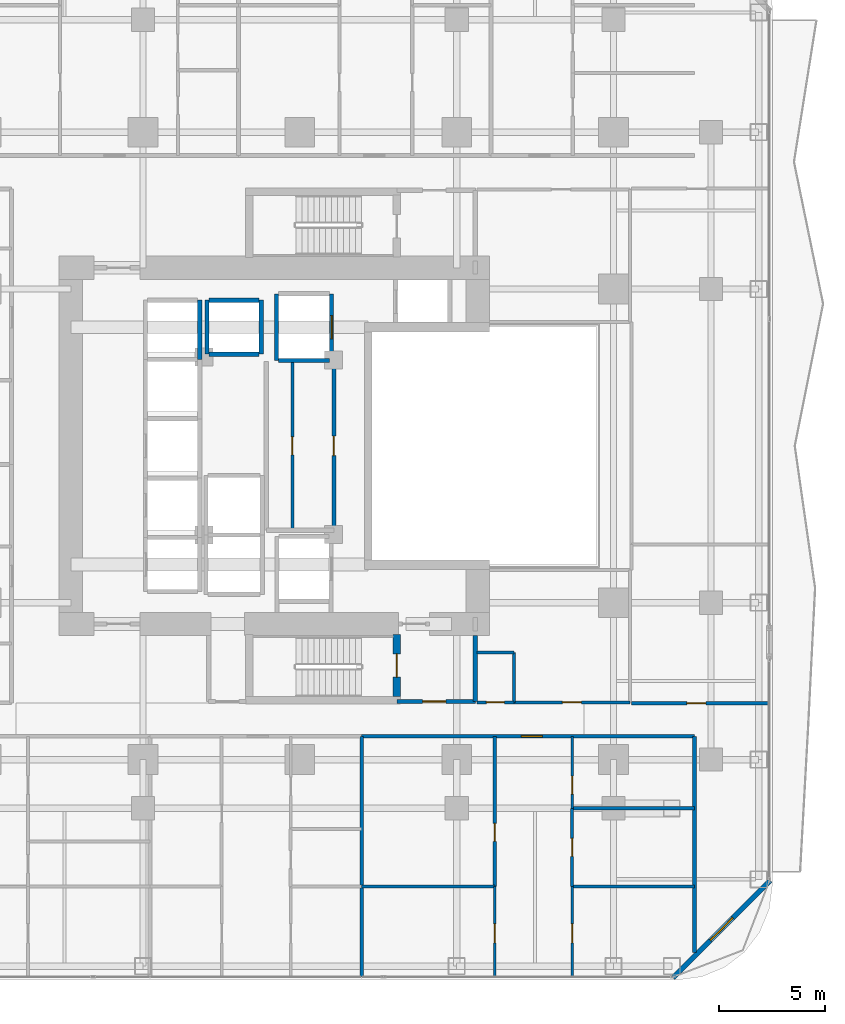
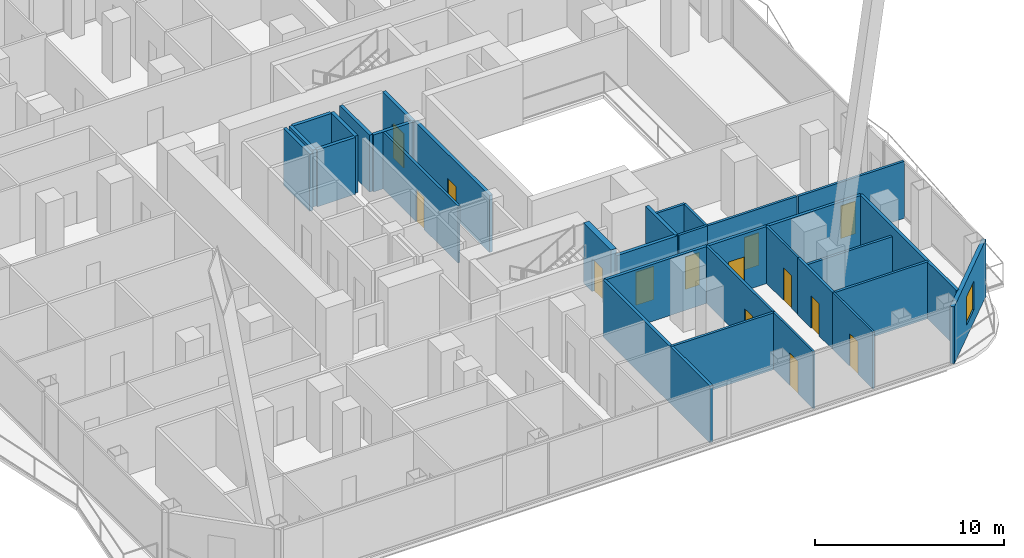
# One storey, part 25 of 33: 30 walls, 14 doors, 1 window, 15 openings.
"""IFC4 building model written with IfcOpenShell, lengths in metres."""

from ifc_helpers import new_model, si_unit, direction, frame, frame_2d, origin, place, context, subcontext, project, spatial, rectangle, extrude, material, layer, layer_set, type_object, element, fill, save


model = new_model("IFC4")

# Units and contexts
model_context = context("Model", 3, precision=1e-05, world=origin(), true_north=direction((0.0, 1.0)))
body_context = subcontext(model_context, "Body", "Model", "MODEL_VIEW")
ifc_project = project(units=[si_unit("LENGTHUNIT", "METRE"), si_unit("AREAUNIT", "SQUARE_METRE"), si_unit("VOLUMEUNIT", "CUBIC_METRE"), si_unit("PLANEANGLEUNIT", "RADIAN"), si_unit("MASSUNIT", "GRAM", prefix="KILO")], contexts=[model_context])

# Site, building, storey
site_placement = place(None, origin())
site = spatial("IfcSite", under=ifc_project, at=site_placement, CompositionType="ELEMENT")
building_placement = place(site_placement, origin())
building = spatial("IfcBuilding", under=site, at=building_placement, Name="Khorvyn Point Tower", CompositionType="ELEMENT")
storey_placement = place(building_placement, frame((0.0, 0.0, 65.699951171875)))
storey = spatial("IfcBuildingStorey", under=building, at=storey_placement, Name="L17", CompositionType="ELEMENT", Elevation=65.699951171875)

# Wall, opening, door
ifc_material_1 = material(Name="Double acoustic gypsum on twin steel stud", Category="steel")
ifc_layer_1 = layer(ifc_material_1, 0.179931640625)
ifc_layer_set_1 = layer_set([ifc_layer_1], Name="Acoustic Double-Stud Apartment Demising Wall 180")
wall_type_1 = type_object("IfcWallType", Name="Acoustic Double-Stud Apartment Demising Wall 180", PredefinedType="PARTITIONING", material=ifc_layer_set_1)
wall_1_placement = place(storey_placement, frame((2.91796875, -13.699951171875, 0.0), z_axis=(0.0, 0.0, 1.0), x_axis=(1.0, 0.0, 0.0)))
wall_1 = element("IfcWall", 1, at=wall_1_placement, inside=storey, type_object=wall_type_1, Name="Wall", PredefinedType="PARTITIONING", context=body_context, shape_type="SweptSolid", body=[
    extrude(rectangle(XDim=15.7021484375, YDim=0.179931640625, at=frame_2d((7.85107421875, 0.0))), origin(), (0.0, 0.0, 1.0), 3.679931640625),
])
opening_1_placement = place(wall_1_placement, frame((7.53076171875, 0.0, 0.0)))
opening_1 = element("IfcOpeningElement", 2, at=opening_1_placement, cuts=wall_1, Name="Opening ID-AP60", PredefinedType="OPENING", context=body_context, shape_type="SweptSolid", body=[
    extrude(rectangle(XDim=1.0, YDim=2.199951171875, at=frame_2d((0.5, 1.10009765625))), frame((0.0, 0.099853515625, 0.0), z_axis=(0.0, -1.0, 0.0), x_axis=(1.0, 0.0, 0.0)), (0.0, 0.0, 1.0), 0.199951171875),
])
ifc_material_2 = material(Name="Engineered hardwood fire-rated leaf", Category="wood")
door_type_1 = type_object("IfcDoorType", Name="Acoustic Solid-Core Timber Apartment Entrance Door 1000x2200", OperationType="NOTDEFINED", PredefinedType="DOOR", material=ifc_material_2)
door_1_placement = place(opening_1_placement, origin())
door_1 = element("IfcDoor", 3, at=door_1_placement, inside=storey, type_object=door_type_1, Name="Door", OperationType="SINGLE_SWING_RIGHT", OverallHeight=2.199951171875, OverallWidth=1.0, PredefinedType="DOOR", context=body_context, shape_type="SweptSolid", body=[
    extrude(rectangle(XDim=1.0, YDim=2.199951171875, at=frame_2d((0.5, 1.10009765625))), frame((0.0, 0.02490234375, 0.0), z_axis=(0.0, -1.0, 0.0), x_axis=(1.0, 0.0, 0.0)), (0.0, 0.0, 1.0), 0.050048828125),
])
fill(opening_1, door_1)

# Walls
wall_2_placement = place(storey_placement, frame((18.6201171875, -23.909912109375, 0.0), z_axis=(0.0, 0.0, 1.0), x_axis=(0.0, 1.0, 0.0)))
element("IfcWall", 4, at=wall_2_placement, inside=storey, type_object=wall_type_1, Name="Wall", PredefinedType="PARTITIONING", context=body_context, shape_type="SweptSolid", body=[
    extrude(rectangle(XDim=10.2099609375, YDim=0.179931640625, at=frame_2d((5.10498046875, 0.0))), origin(), (0.0, 0.0, 1.0), 3.679931640625),
])
wall_3_placement = place(storey_placement, frame((2.91796875, -25.030029296875, 0.0), z_axis=(0.0, 0.0, 1.0), x_axis=(0.0, 1.0, 0.0)))
element("IfcWall", 5, at=wall_3_placement, inside=storey, type_object=wall_type_1, Name="Wall", PredefinedType="PARTITIONING", context=body_context, shape_type="SweptSolid", body=[
    extrude(rectangle(XDim=11.330078125, YDim=0.179931640625, at=frame_2d((5.6650390625, 0.0))), origin(), (0.0, 0.0, 1.0), 3.679931640625),
])

# Wall, opening, window
ifc_material_3 = material(Name="Pale anodised aluminium rainscreen on steel stud", Category="steel")
ifc_layer_2 = layer(ifc_material_3, 0.239990234375)
ifc_layer_set_2 = layer_set([ifc_layer_2], Name="Anodised Aluminium Insulated Corner Spandrel Wall 240")
wall_type_2 = type_object("IfcWallType", Name="Anodised Aluminium Insulated Corner Spandrel Wall 240", PredefinedType="SOLIDWALL", material=ifc_layer_set_2)
wall_4_placement = place(storey_placement, frame((22.1923828125, -20.507568359375, 0.0), z_axis=(0.0, 0.0, 1.0), x_axis=(-0.707106781187, -0.707106781187, 0.0)))
wall_4 = element("IfcWall", 6, at=wall_4_placement, inside=storey, type_object=wall_type_2, Name="L17 Rounded Corner Wall SE", PredefinedType="SOLIDWALL", context=body_context, shape_type="SweptSolid", body=[
    extrude(rectangle(XDim=6.48388671875, YDim=0.239990234375, at=frame_2d((3.241943359375, 0.0))), origin(), (0.0, 0.0, 1.0), 3.679931640625),
])
opening_2_placement = place(wall_4_placement, frame((2.491943359375, 0.0, 0.800048828125)))
opening_2 = element("IfcOpeningElement", 7, at=opening_2_placement, cuts=wall_4, Name="Opening WN-1518", PredefinedType="OPENING", context=body_context, shape_type="SweptSolid", body=[
    extrude(rectangle(XDim=1.5, YDim=1.85009765625, at=frame_2d((0.75, 0.925048828125))), frame((0.0, 0.1298828125, 0.0), z_axis=(0.0, -1.0, 0.0), x_axis=(1.0, 0.0, 0.0)), (0.0, 0.0, 1.0), 0.260009765625),
])
ifc_material_4 = material(Name="Anodised aluminium 6063-T6 and laminated Low-E glass", Category="aluminium")
window_type = type_object("IfcWindowType", Name="Anodised Aluminium Rounded-Corner Panoramic Window 1500x1850", PartitioningType="SINGLE_PANEL", PredefinedType="WINDOW", material=ifc_material_4)
window_placement = place(opening_2_placement, origin())
window = element("IfcWindow", 8, at=window_placement, inside=storey, type_object=window_type, Name="L17 Corner Panoramic Window SE", OverallHeight=1.85009765625, OverallWidth=1.5, PartitioningType="SINGLE_PANEL", PredefinedType="WINDOW", context=body_context, shape_type="SweptSolid", body=[
    extrude(rectangle(XDim=1.5, YDim=1.85009765625, at=frame_2d((0.75, 0.925048828125))), frame((0.0, 0.030029296875, 0.0), z_axis=(0.0, -1.0, 0.0), x_axis=(1.0, 0.0, 0.0)), (0.0, 0.0, 1.0), 0.06005859375),
])
fill(opening_2, window)

# Wall, opening, door
ifc_material_5 = material(Name="Concrete C40/50", Category="concrete")
ifc_layer_3 = layer(ifc_material_5, 0.199951171875)
ifc_layer_set_3 = layer_set([ifc_layer_3], Name="Concrete C40/50 Fire-Lobby Compartment Wall 200")
wall_type_3 = type_object("IfcWallType", Name="Concrete C40/50 Fire-Lobby Compartment Wall 200", PredefinedType="SOLIDWALL", material=ifc_layer_set_3)
wall_5_placement = place(storey_placement, frame((4.580078125, -12.06005859375, 0.0), z_axis=(0.0, 0.0, 1.0), x_axis=(1.0, 0.0, 0.0)))
wall_5 = element("IfcWall", 9, at=wall_5_placement, inside=storey, type_object=wall_type_3, Name="Wall", PredefinedType="SOLIDWALL", context=body_context, shape_type="SweptSolid", body=[
    extrude(rectangle(XDim=3.699951171875, YDim=0.199951171875, at=frame_2d((1.85009765625, 0.0))), origin(), (0.0, 0.0, 1.0), 3.679931640625),
])
opening_3_placement = place(wall_5_placement, frame((1.21240234375, 0.0, 0.0)))
opening_3 = element("IfcOpeningElement", 10, at=opening_3_placement, cuts=wall_5, Name="Opening ID-FL90", PredefinedType="OPENING", context=body_context, shape_type="SweptSolid", body=[
    extrude(rectangle(XDim=1.10009765625, YDim=2.14990234375, at=frame_2d((0.550048828125, 1.074951171875))), frame((0.0, 0.10986328125, 0.0), z_axis=(0.0, -1.0, 0.0), x_axis=(1.0, 0.0, 0.0)), (0.0, 0.0, 1.0), 0.219970703125),
])
ifc_material_6 = material(Name="Galvanised powder-coated steel", Category="steel")
door_type_2 = type_object("IfcDoorType", Name="Fire-Rated Steel Lobby and Stair Door 1100x2150", OperationType="NOTDEFINED", PredefinedType="DOOR", material=ifc_material_6)
door_2_placement = place(opening_3_placement, origin())
door_2 = element("IfcDoor", 11, at=door_2_placement, inside=storey, type_object=door_type_2, Name="Door", OperationType="SINGLE_SWING_LEFT", OverallHeight=2.14990234375, OverallWidth=1.10009765625, PredefinedType="DOOR", context=body_context, shape_type="SweptSolid", body=[
    extrude(rectangle(XDim=1.10009765625, YDim=2.14990234375, at=frame_2d((0.550048828125, 1.074951171875))), frame((0.0, 0.02490234375, 0.0), z_axis=(0.0, -1.0, 0.0), x_axis=(1.0, 0.0, 0.0)), (0.0, 0.0, 1.0), 0.050048828125),
])
fill(opening_3, door_2)

wall_6_placement = place(storey_placement, frame((1.610107421875, -3.97998046875, 0.0), z_axis=(0.0, 0.0, 1.0), x_axis=(0.0, 1.0, 0.0)))
wall_6 = element("IfcWall", 12, at=wall_6_placement, inside=storey, type_object=wall_type_3, Name="Wall", PredefinedType="SOLIDWALL", context=body_context, shape_type="SweptSolid", body=[
    extrude(rectangle(XDim=7.9599609375, YDim=0.199951171875, at=frame_2d((3.97998046875, 0.0))), origin(), (0.0, 0.0, 1.0), 3.679931640625),
])
opening_4_placement = place(wall_6_placement, frame((3.52001953125, 0.0, 0.0)))
opening_4 = element("IfcOpeningElement", 13, at=opening_4_placement, cuts=wall_6, Name="Opening ID-RS60", PredefinedType="OPENING", context=body_context, shape_type="SweptSolid", body=[
    extrude(rectangle(XDim=0.919921875, YDim=2.10009765625, at=frame_2d((0.4599609375, 1.050048828125))), frame((0.0, 0.10986328125, 0.0), z_axis=(0.0, -1.0, 0.0), x_axis=(1.0, 0.0, 0.0)), (0.0, 0.0, 1.0), 0.219970703125),
])
door_type_3 = type_object("IfcDoorType", Name="Fire-Rated Riser and Store Steel Door 920x2100", OperationType="NOTDEFINED", PredefinedType="DOOR", material=ifc_material_6)
door_3_placement = place(opening_4_placement, origin())
door_3 = element("IfcDoor", 14, at=door_3_placement, inside=storey, type_object=door_type_3, Name="Door", OperationType="SINGLE_SWING_RIGHT", OverallHeight=2.10009765625, OverallWidth=0.919921875, PredefinedType="DOOR", context=body_context, shape_type="SweptSolid", body=[
    extrude(rectangle(XDim=0.919921875, YDim=2.10009765625, at=frame_2d((0.4599609375, 1.050048828125))), frame((0.0, 0.02490234375, 0.0), z_axis=(0.0, -1.0, 0.0), x_axis=(1.0, 0.0, 0.0)), (0.0, 0.0, 1.0), 0.050048828125),
])
fill(opening_4, door_3)

# Wall
wall_7_placement = place(storey_placement, frame((8.280029296875, -12.06005859375, 0.0), z_axis=(0.0, 0.0, 1.0), x_axis=(0.0, 1.0, 0.0)))
element("IfcWall", 15, at=wall_7_placement, inside=storey, type_object=wall_type_3, Name="Wall", PredefinedType="SOLIDWALL", context=body_context, shape_type="SweptSolid", body=[
    extrude(rectangle(XDim=3.110107421875, YDim=0.199951171875, at=frame_2d((1.55517578125, 0.0))), origin(), (0.0, 0.0, 1.0), 3.679931640625),
])

# Wall, opening, door
ifc_layer_4 = layer(ifc_material_5, 0.35009765625)
ifc_layer_set_4 = layer_set([ifc_layer_4], Name="Concrete C40/50 Stair Shaft Structural Wall 350")
wall_type_4 = type_object("IfcWallType", Name="Concrete C40/50 Stair Shaft Structural Wall 350", PredefinedType="SHEAR", material=ifc_layer_set_4)
wall_8_placement = place(storey_placement, frame((4.580078125, -8.89990234375, 0.0), z_axis=(0.0, 0.0, 1.0), x_axis=(0.0, -1.0, 0.0)))
wall_8 = element("IfcWall", 16, at=wall_8_placement, inside=storey, type_object=wall_type_4, Name="L17 ST-01 East Landing Door Wall", PredefinedType="SHEAR", context=body_context, shape_type="SweptSolid", body=[
    extrude(rectangle(XDim=2.925048828125, YDim=0.35009765625, at=frame_2d((1.46240234375, 0.0))), origin(), (0.0, 0.0, 1.0), 3.900146484375),
])
opening_5_placement = place(wall_8_placement, frame((0.91259765625, 0.0, 0.0)))
opening_5 = element("IfcOpeningElement", 17, at=opening_5_placement, cuts=wall_8, Name="Opening ID-FL90", PredefinedType="OPENING", context=body_context, shape_type="SweptSolid", body=[
    extrude(rectangle(XDim=1.10009765625, YDim=2.14990234375, at=frame_2d((0.550048828125, 1.074951171875))), frame((0.0, 0.18505859375, 0.0), z_axis=(0.0, -1.0, 0.0), x_axis=(1.0, 0.0, 0.0)), (0.0, 0.0, 1.0), 0.3701171875),
])
door_4_placement = place(opening_5_placement, origin())
door_4 = element("IfcDoor", 18, at=door_4_placement, inside=storey, type_object=door_type_2, Name="L17 ST-01 Smokeproof Landing Door", OperationType="SINGLE_SWING_LEFT", OverallHeight=2.14990234375, OverallWidth=1.10009765625, PredefinedType="DOOR", context=body_context, shape_type="SweptSolid", body=[
    extrude(rectangle(XDim=1.10009765625, YDim=2.14990234375, at=frame_2d((0.550048828125, 1.074951171875))), frame((0.0, 0.02490234375, 0.0), z_axis=(0.0, -1.0, 0.0), x_axis=(1.0, 0.0, 0.0)), (0.0, 0.0, 1.0), 0.050048828125),
])
fill(opening_5, door_4)

# Walls
ifc_layer_5 = layer(ifc_material_5, 0.199951171875)
ifc_layer_set_5 = layer_set([ifc_layer_5], Name="Concrete C40/50 Structural Hoistway and Stair Shaft Wall 200")
wall_type_5 = type_object("IfcWallType", Name="Concrete C40/50 Structural Hoistway and Stair Shaft Wall 200", PredefinedType="SHEAR", material=ifc_layer_set_5)
wall_9_placement = place(storey_placement, frame((-4.72509765625, 4.074951171875, 0.0), z_axis=(0.0, 0.0, 1.0), x_axis=(0.0, 1.0, 0.0)))
element("IfcWall", 19, at=wall_9_placement, inside=storey, type_object=wall_type_5, Name="Wall", PredefinedType="SHEAR", context=body_context, shape_type="SweptSolid", body=[
    extrude(rectangle(XDim=2.800048828125, YDim=0.199951171875, at=frame_2d((1.39990234375, 0.0))), origin(), (0.0, 0.0, 1.0), 3.679931640625),
])
for number, where, z_axis, x_axis, name in (
    (20, (-4.375, 4.324951171875, 0.0), (0.0, 0.0, 1.0), (0.0, 1.0, 0.0), "Wall"),
    (21, (-1.824951171875, 4.324951171875, 0.0), (0.0, 0.0, 1.0), (0.0, 1.0, 0.0), "Wall"),
):
    element("IfcWall", number, at=place(storey_placement, frame(where, z_axis=z_axis, x_axis=x_axis)), inside=storey, type_object=wall_type_5, Name=name, PredefinedType="SHEAR", context=body_context, shape_type="SweptSolid", body=[
        extrude(rectangle(XDim=2.550048828125, YDim=0.199951171875, at=frame_2d((1.27490234375, 0.0))), origin(), (0.0, 0.0, 1.0), 3.679931640625),
    ])
for number, where, z_axis, x_axis, name in (
    (22, (-4.27490234375, 4.324951171875, 0.0), (0.0, 0.0, 1.0), (1.0, 0.0, 0.0), "Wall"),
    (23, (-4.27490234375, 6.875, 0.0), (0.0, 0.0, 1.0), (1.0, 0.0, 0.0), "Wall"),
):
    element("IfcWall", number, at=place(storey_placement, frame(where, z_axis=z_axis, x_axis=x_axis)), inside=storey, type_object=wall_type_5, Name=name, PredefinedType="SHEAR", context=body_context, shape_type="SweptSolid", body=[
        extrude(rectangle(XDim=2.349853515625, YDim=0.199951171875, at=frame_2d((1.1748046875, 0.0))), origin(), (0.0, 0.0, 1.0), 3.679931640625),
    ])
wall_10_placement = place(storey_placement, frame((-1.10009765625, 4.02490234375, 0.0), z_axis=(0.0, 0.0, 1.0), x_axis=(0.0, 1.0, 0.0)))
element("IfcWall", 24, at=wall_10_placement, inside=storey, type_object=wall_type_5, Name="Wall", PredefinedType="SHEAR", context=body_context, shape_type="SweptSolid", body=[
    extrude(rectangle(XDim=3.150146484375, YDim=0.199951171875, at=frame_2d((1.5751953125, 0.0))), origin(), (0.0, 0.0, 1.0), 3.679931640625),
])

# Wall, opening, door
wall_11_placement = place(storey_placement, frame((1.5, 4.02490234375, 0.0), z_axis=(0.0, 0.0, 1.0), x_axis=(0.0, 1.0, 0.0)))
wall_11 = element("IfcWall", 25, at=wall_11_placement, inside=storey, type_object=wall_type_5, Name="Wall", PredefinedType="SHEAR", context=body_context, shape_type="SweptSolid", body=[
    extrude(rectangle(XDim=3.150146484375, YDim=0.199951171875, at=frame_2d((1.5751953125, 0.0))), origin(), (0.0, 0.0, 1.0), 3.679931640625),
])
opening_6_placement = place(wall_11_placement, frame((1.02490234375, 0.0, 0.0)))
opening_6 = element("IfcOpeningElement", 26, at=opening_6_placement, cuts=wall_11, Name="Opening LD-1122", PredefinedType="OPENING", context=body_context, shape_type="SweptSolid", body=[
    extrude(rectangle(XDim=1.10009765625, YDim=2.199951171875, at=frame_2d((0.550048828125, 1.10009765625))), frame((0.0, 0.10986328125, 0.0), z_axis=(0.0, -1.0, 0.0), x_axis=(1.0, 0.0, 0.0)), (0.0, 0.0, 1.0), 0.219970703125),
])
ifc_material_7 = material(Name="Stainless steel 1.4301", Category="steel")
door_type_4 = type_object("IfcDoorType", Name="Stainless Steel Automatic Sliding Lift Landing Door 1100x2200", OperationType="SLIDING_TO_LEFT", PredefinedType="DOOR", material=ifc_material_7)
door_5_placement = place(opening_6_placement, origin())
door_5 = element("IfcDoor", 27, at=door_5_placement, inside=storey, type_object=door_type_4, Name="L17 SV-01 Sliding Lift Landing Door", OperationType="SLIDING_TO_LEFT", OverallHeight=2.199951171875, OverallWidth=1.10009765625, PredefinedType="DOOR", context=body_context, shape_type="SweptSolid", body=[
    extrude(rectangle(XDim=1.10009765625, YDim=2.199951171875, at=frame_2d((0.550048828125, 1.10009765625))), frame((0.0, 0.02490234375, 0.0), z_axis=(0.0, -1.0, 0.0), x_axis=(1.0, 0.0, 0.0)), (0.0, 0.0, 1.0), 0.050048828125),
])
fill(opening_6, door_5)

# Wall
wall_12_placement = place(storey_placement, frame((-1.0, 4.02490234375, 0.0), z_axis=(0.0, 0.0, 1.0), x_axis=(1.0, 0.0, 0.0)))
element("IfcWall", 28, at=wall_12_placement, inside=storey, type_object=wall_type_5, Name="Wall", PredefinedType="SHEAR", context=body_context, shape_type="SweptSolid", body=[
    extrude(rectangle(XDim=2.39990234375, YDim=0.199951171875, at=frame_2d((1.199951171875, 0.0))), origin(), (0.0, 0.0, 1.0), 3.679931640625),
])

# Wall, opening, door
ifc_material_8 = material(Name="Gypsum plasterboard on steel stud", Category="steel")
ifc_layer_6 = layer(ifc_material_8, 0.1201171875)
ifc_layer_set_6 = layer_set([ifc_layer_6], Name="Gypsum Acoustic Stud Room Partition Wall 120")
wall_type_6 = type_object("IfcWallType", Name="Gypsum Acoustic Stud Room Partition Wall 120", PredefinedType="PARTITIONING", material=ifc_layer_set_6)
wall_13_placement = place(storey_placement, frame((9.198974609375, -25.030029296875, 0.0), z_axis=(0.0, 0.0, 1.0), x_axis=(0.0, 1.0, 0.0)))
wall_13 = element("IfcWall", 29, at=wall_13_placement, inside=storey, type_object=wall_type_6, Name="Wall", PredefinedType="PARTITIONING", context=body_context, shape_type="SweptSolid", body=[
    extrude(rectangle(XDim=4.239990234375, YDim=0.1201171875, at=frame_2d((2.1201171875, 0.0))), origin(), (0.0, 0.0, 1.0), 3.679931640625),
])
opening_7_placement = place(wall_13_placement, frame((1.581298828125, 0.0, 0.0)))
opening_7 = element("IfcOpeningElement", 30, at=opening_7_placement, cuts=wall_13, Name="Opening ID-RM90", PredefinedType="OPENING", context=body_context, shape_type="SweptSolid", body=[
    extrude(rectangle(XDim=0.89990234375, YDim=2.10009765625, at=frame_2d((0.449951171875, 1.050048828125))), frame((0.0, 0.070068359375, 0.0), z_axis=(0.0, -1.0, 0.0), x_axis=(1.0, 0.0, 0.0)), (0.0, 0.0, 1.0), 0.14013671875),
])
ifc_material_9 = material(Name="Engineered oak veneer timber", Category="wood")
door_type_5 = type_object("IfcDoorType", Name="Flush Engineered Timber Room Door 900x2100", OperationType="NOTDEFINED", PredefinedType="DOOR", material=ifc_material_9)
door_6_placement = place(opening_7_placement, origin())
door_6 = element("IfcDoor", 31, at=door_6_placement, inside=storey, type_object=door_type_5, Name="Door", OperationType="SINGLE_SWING_RIGHT", OverallHeight=2.10009765625, OverallWidth=0.89990234375, PredefinedType="DOOR", context=body_context, shape_type="SweptSolid", body=[
    extrude(rectangle(XDim=0.89990234375, YDim=2.10009765625, at=frame_2d((0.449951171875, 1.050048828125))), frame((0.0, 0.02490234375, 0.0), z_axis=(0.0, -1.0, 0.0), x_axis=(1.0, 0.0, 0.0)), (0.0, 0.0, 1.0), 0.050048828125),
])
fill(opening_7, door_6)

wall_14_placement = place(storey_placement, frame((12.843994140625, -17.10009765625, 0.0), z_axis=(0.0, 0.0, 1.0), x_axis=(0.0, 1.0, 0.0)))
wall_14 = element("IfcWall", 32, at=wall_14_placement, inside=storey, type_object=wall_type_6, Name="Wall", PredefinedType="PARTITIONING", context=body_context, shape_type="SweptSolid", body=[
    extrude(rectangle(XDim=3.400146484375, YDim=0.1201171875, at=frame_2d((1.7001953125, 0.0))), origin(), (0.0, 0.0, 1.0), 3.679931640625),
])
opening_8_placement = place(wall_14_placement, frame((0.674560546875, 0.0, 0.0)))
opening_8 = element("IfcOpeningElement", 33, at=opening_8_placement, cuts=wall_14, Name="Opening ID-WC85", PredefinedType="OPENING", context=body_context, shape_type="SweptSolid", body=[
    extrude(rectangle(XDim=0.85009765625, YDim=2.10009765625, at=frame_2d((0.425048828125, 1.050048828125))), frame((0.0, 0.070068359375, 0.0), z_axis=(0.0, -1.0, 0.0), x_axis=(1.0, 0.0, 0.0)), (0.0, 0.0, 1.0), 0.14013671875),
])
ifc_material_10 = material(Name="High-pressure laminate on moisture-resistant core", Category="wood")
door_type_6 = type_object("IfcDoorType", Name="Moisture-Resistant Accessible Washroom Door 850x2100", OperationType="NOTDEFINED", PredefinedType="DOOR", material=ifc_material_10)
door_7_placement = place(opening_8_placement, origin())
door_7 = element("IfcDoor", 34, at=door_7_placement, inside=storey, type_object=door_type_6, Name="Door", OperationType="SINGLE_SWING_RIGHT", OverallHeight=2.10009765625, OverallWidth=0.85009765625, PredefinedType="DOOR", context=body_context, shape_type="SweptSolid", body=[
    extrude(rectangle(XDim=0.85009765625, YDim=2.10009765625, at=frame_2d((0.425048828125, 1.050048828125))), frame((0.0, 0.02490234375, 0.0), z_axis=(0.0, -1.0, 0.0), x_axis=(1.0, 0.0, 0.0)), (0.0, 0.0, 1.0), 0.050048828125),
])
fill(opening_8, door_7)

wall_15_placement = place(storey_placement, frame((12.843994140625, -25.030029296875, 0.0), z_axis=(0.0, 0.0, 1.0), x_axis=(0.0, 1.0, 0.0)))
wall_15 = element("IfcWall", 35, at=wall_15_placement, inside=storey, type_object=wall_type_6, Name="Wall", PredefinedType="PARTITIONING", context=body_context, shape_type="SweptSolid", body=[
    extrude(rectangle(XDim=4.239990234375, YDim=0.1201171875, at=frame_2d((2.1201171875, 0.0))), origin(), (0.0, 0.0, 1.0), 3.679931640625),
])
opening_9_placement = place(wall_15_placement, frame((1.581298828125, 0.0, 0.0)))
opening_9 = element("IfcOpeningElement", 36, at=opening_9_placement, cuts=wall_15, Name="Opening ID-RM90", PredefinedType="OPENING", context=body_context, shape_type="SweptSolid", body=[
    extrude(rectangle(XDim=0.89990234375, YDim=2.10009765625, at=frame_2d((0.449951171875, 1.050048828125))), frame((0.0, 0.070068359375, 0.0), z_axis=(0.0, -1.0, 0.0), x_axis=(1.0, 0.0, 0.0)), (0.0, 0.0, 1.0), 0.14013671875),
])
door_8_placement = place(opening_9_placement, origin())
door_8 = element("IfcDoor", 37, at=door_8_placement, inside=storey, type_object=door_type_5, Name="Door", OperationType="SINGLE_SWING_LEFT", OverallHeight=2.10009765625, OverallWidth=0.89990234375, PredefinedType="DOOR", context=body_context, shape_type="SweptSolid", body=[
    extrude(rectangle(XDim=0.89990234375, YDim=2.10009765625, at=frame_2d((0.449951171875, 1.050048828125))), frame((0.0, 0.02490234375, 0.0), z_axis=(0.0, -1.0, 0.0), x_axis=(1.0, 0.0, 0.0)), (0.0, 0.0, 1.0), 0.050048828125),
])
fill(opening_9, door_8)

ifc_material_11 = material(Name="Moisture-resistant gypsum and cement board", Category="gypsum")
ifc_layer_7 = layer(ifc_material_11, 0.14990234375)
ifc_layer_set_7 = layer_set([ifc_layer_7], Name="Moisture-Resistant Wet-Room Partition Wall 150")
wall_type_7 = type_object("IfcWallType", Name="Moisture-Resistant Wet-Room Partition Wall 150", PredefinedType="PARTITIONING", material=ifc_layer_set_7)
wall_16_placement = place(storey_placement, frame((-0.35009765625, -3.97998046875, 0.0), z_axis=(0.0, 0.0, 1.0), x_axis=(0.0, 1.0, 0.0)))
wall_16 = element("IfcWall", 38, at=wall_16_placement, inside=storey, type_object=wall_type_7, Name="Wall", PredefinedType="PARTITIONING", context=body_context, shape_type="SweptSolid", body=[
    extrude(rectangle(XDim=7.9599609375, YDim=0.14990234375, at=frame_2d((3.97998046875, 0.0))), origin(), (0.0, 0.0, 1.0), 3.679931640625),
])
opening_10_placement = place(wall_16_placement, frame((3.554931640625, 0.0, 0.0)))
opening_10 = element("IfcOpeningElement", 39, at=opening_10_placement, cuts=wall_16, Name="Opening ID-WC85", PredefinedType="OPENING", context=body_context, shape_type="SweptSolid", body=[
    extrude(rectangle(XDim=0.85009765625, YDim=2.10009765625, at=frame_2d((0.425048828125, 1.050048828125))), frame((0.0, 0.0849609375, 0.0), z_axis=(0.0, -1.0, 0.0), x_axis=(1.0, 0.0, 0.0)), (0.0, 0.0, 1.0), 0.169921875),
])
door_9_placement = place(opening_10_placement, origin())
door_9 = element("IfcDoor", 40, at=door_9_placement, inside=storey, type_object=door_type_6, Name="Door", OperationType="SINGLE_SWING_LEFT", OverallHeight=2.10009765625, OverallWidth=0.85009765625, PredefinedType="DOOR", context=body_context, shape_type="SweptSolid", body=[
    extrude(rectangle(XDim=0.85009765625, YDim=2.10009765625, at=frame_2d((0.425048828125, 1.050048828125))), frame((0.0, 0.02490234375, 0.0), z_axis=(0.0, -1.0, 0.0), x_axis=(1.0, 0.0, 0.0)), (0.0, 0.0, 1.0), 0.050048828125),
])
fill(opening_10, door_9)

wall_17_placement = place(storey_placement, frame((8.360107421875, -12.10009765625, 0.0), z_axis=(0.0, 0.0, 1.0), x_axis=(1.0, 0.0, 0.0)))
wall_17 = element("IfcWall", 41, at=wall_17_placement, inside=storey, type_object=wall_type_7, Name="Wall", PredefinedType="PARTITIONING", context=body_context, shape_type="SweptSolid", body=[
    extrude(rectangle(XDim=1.739990234375, YDim=0.14990234375, at=frame_2d((0.8701171875, 0.0))), origin(), (0.0, 0.0, 1.0), 3.679931640625),
])
opening_11_placement = place(wall_17_placement, frame((0.445068359375, 0.0, 0.0)))
opening_11 = element("IfcOpeningElement", 42, at=opening_11_placement, cuts=wall_17, Name="Opening ID-WC85", PredefinedType="OPENING", context=body_context, shape_type="SweptSolid", body=[
    extrude(rectangle(XDim=0.85009765625, YDim=2.10009765625, at=frame_2d((0.425048828125, 1.050048828125))), frame((0.0, 0.0849609375, 0.0), z_axis=(0.0, -1.0, 0.0), x_axis=(1.0, 0.0, 0.0)), (0.0, 0.0, 1.0), 0.169921875),
])
door_10_placement = place(opening_11_placement, origin())
door_10 = element("IfcDoor", 43, at=door_10_placement, inside=storey, type_object=door_type_6, Name="Door", OperationType="SINGLE_SWING_LEFT", OverallHeight=2.10009765625, OverallWidth=0.85009765625, PredefinedType="DOOR", context=body_context, shape_type="SweptSolid", body=[
    extrude(rectangle(XDim=0.85009765625, YDim=2.10009765625, at=frame_2d((0.425048828125, 1.050048828125))), frame((0.0, 0.02490234375, 0.0), z_axis=(0.0, -1.0, 0.0), x_axis=(1.0, 0.0, 0.0)), (0.0, 0.0, 1.0), 0.050048828125),
])
fill(opening_11, door_10)

wall_18_placement = place(storey_placement, frame((10.10009765625, -12.10009765625, 0.0), z_axis=(0.0, 0.0, 1.0), x_axis=(1.0, 0.0, 0.0)))
wall_18 = element("IfcWall", 44, at=wall_18_placement, inside=storey, type_object=wall_type_7, Name="Wall", PredefinedType="PARTITIONING", context=body_context, shape_type="SweptSolid", body=[
    extrude(rectangle(XDim=5.47998046875, YDim=0.14990234375, at=frame_2d((2.739990234375, 0.0))), origin(), (0.0, 0.0, 1.0), 3.679931640625),
])
opening_12_placement = place(wall_18_placement, frame((2.2900390625, 0.0, 0.0)))
opening_12 = element("IfcOpeningElement", 45, at=opening_12_placement, cuts=wall_18, Name="Opening ID-RM90", PredefinedType="OPENING", context=body_context, shape_type="SweptSolid", body=[
    extrude(rectangle(XDim=0.89990234375, YDim=2.10009765625, at=frame_2d((0.449951171875, 1.050048828125))), frame((0.0, 0.0849609375, 0.0), z_axis=(0.0, -1.0, 0.0), x_axis=(1.0, 0.0, 0.0)), (0.0, 0.0, 1.0), 0.169921875),
])
door_11_placement = place(opening_12_placement, origin())
door_11 = element("IfcDoor", 46, at=door_11_placement, inside=storey, type_object=door_type_5, Name="Door", OperationType="SINGLE_SWING_RIGHT", OverallHeight=2.10009765625, OverallWidth=0.89990234375, PredefinedType="DOOR", context=body_context, shape_type="SweptSolid", body=[
    extrude(rectangle(XDim=0.89990234375, YDim=2.10009765625, at=frame_2d((0.449951171875, 1.050048828125))), frame((0.0, 0.02490234375, 0.0), z_axis=(0.0, -1.0, 0.0), x_axis=(1.0, 0.0, 0.0)), (0.0, 0.0, 1.0), 0.050048828125),
])
fill(opening_12, door_11)

wall_19_placement = place(storey_placement, frame((9.198974609375, -20.7900390625, 0.0), z_axis=(0.0, 0.0, 1.0), x_axis=(0.0, 1.0, 0.0)))
wall_19 = element("IfcWall", 47, at=wall_19_placement, inside=storey, type_object=wall_type_7, Name="Wall", PredefinedType="PARTITIONING", context=body_context, shape_type="SweptSolid", body=[
    extrude(rectangle(XDim=7.090087890625, YDim=0.14990234375, at=frame_2d((3.544921875, 0.0))), origin(), (0.0, 0.0, 1.0), 3.679931640625),
])
opening_13_placement = place(wall_19_placement, frame((2.13330078125, 0.0, 0.0)))
opening_13 = element("IfcOpeningElement", 48, at=opening_13_placement, cuts=wall_19, Name="Opening ID-WC85", PredefinedType="OPENING", context=body_context, shape_type="SweptSolid", body=[
    extrude(rectangle(XDim=0.85009765625, YDim=2.10009765625, at=frame_2d((0.425048828125, 1.050048828125))), frame((0.0, 0.0849609375, 0.0), z_axis=(0.0, -1.0, 0.0), x_axis=(1.0, 0.0, 0.0)), (0.0, 0.0, 1.0), 0.169921875),
])
door_12_placement = place(opening_13_placement, origin())
door_12 = element("IfcDoor", 49, at=door_12_placement, inside=storey, type_object=door_type_6, Name="Door", OperationType="SINGLE_SWING_LEFT", OverallHeight=2.10009765625, OverallWidth=0.85009765625, PredefinedType="DOOR", context=body_context, shape_type="SweptSolid", body=[
    extrude(rectangle(XDim=0.85009765625, YDim=2.10009765625, at=frame_2d((0.425048828125, 1.050048828125))), frame((0.0, 0.02490234375, 0.0), z_axis=(0.0, -1.0, 0.0), x_axis=(1.0, 0.0, 0.0)), (0.0, 0.0, 1.0), 0.050048828125),
])
fill(opening_13, door_12)

wall_20_placement = place(storey_placement, frame((12.843994140625, -20.7900390625, 0.0), z_axis=(0.0, 0.0, 1.0), x_axis=(0.0, 1.0, 0.0)))
wall_20 = element("IfcWall", 50, at=wall_20_placement, inside=storey, type_object=wall_type_7, Name="Wall", PredefinedType="PARTITIONING", context=body_context, shape_type="SweptSolid", body=[
    extrude(rectangle(XDim=3.68994140625, YDim=0.14990234375, at=frame_2d((1.844970703125, 0.0))), origin(), (0.0, 0.0, 1.0), 3.679931640625),
])
opening_14_placement = place(wall_20_placement, frame((1.419921875, 0.0, 0.0)))
opening_14 = element("IfcOpeningElement", 51, at=opening_14_placement, cuts=wall_20, Name="Opening ID-WC85", PredefinedType="OPENING", context=body_context, shape_type="SweptSolid", body=[
    extrude(rectangle(XDim=0.85009765625, YDim=2.10009765625, at=frame_2d((0.425048828125, 1.050048828125))), frame((0.0, 0.0849609375, 0.0), z_axis=(0.0, -1.0, 0.0), x_axis=(1.0, 0.0, 0.0)), (0.0, 0.0, 1.0), 0.169921875),
])
door_13_placement = place(opening_14_placement, origin())
door_13 = element("IfcDoor", 52, at=door_13_placement, inside=storey, type_object=door_type_6, Name="Door", OperationType="SINGLE_SWING_LEFT", OverallHeight=2.10009765625, OverallWidth=0.85009765625, PredefinedType="DOOR", context=body_context, shape_type="SweptSolid", body=[
    extrude(rectangle(XDim=0.85009765625, YDim=2.10009765625, at=frame_2d((0.425048828125, 1.050048828125))), frame((0.0, 0.02490234375, 0.0), z_axis=(0.0, -1.0, 0.0), x_axis=(1.0, 0.0, 0.0)), (0.0, 0.0, 1.0), 0.050048828125),
])
fill(opening_14, door_13)

wall_21_placement = place(storey_placement, frame((15.64990234375, -12.139892578125, 0.0), z_axis=(0.0, 0.0, 1.0), x_axis=(1.0, 0.0, 0.0)))
wall_21 = element("IfcWall", 53, at=wall_21_placement, inside=storey, type_object=wall_type_7, Name="Wall", PredefinedType="PARTITIONING", context=body_context, shape_type="SweptSolid", body=[
    extrude(rectangle(XDim=6.47021484375, YDim=0.14990234375, at=frame_2d((3.235107421875, 0.0))), origin(), (0.0, 0.0, 1.0), 3.679931640625),
])
opening_15_placement = place(wall_21_placement, frame((2.610107421875, 0.0, 0.0)))
opening_15 = element("IfcOpeningElement", 54, at=opening_15_placement, cuts=wall_21, Name="Opening ID-RM90", PredefinedType="OPENING", context=body_context, shape_type="SweptSolid", body=[
    extrude(rectangle(XDim=0.89990234375, YDim=2.10009765625, at=frame_2d((0.449951171875, 1.050048828125))), frame((0.0, 0.0849609375, 0.0), z_axis=(0.0, -1.0, 0.0), x_axis=(1.0, 0.0, 0.0)), (0.0, 0.0, 1.0), 0.169921875),
])
door_14_placement = place(opening_15_placement, origin())
door_14 = element("IfcDoor", 55, at=door_14_placement, inside=storey, type_object=door_type_5, Name="Door", OperationType="SINGLE_SWING_LEFT", OverallHeight=2.10009765625, OverallWidth=0.89990234375, PredefinedType="DOOR", context=body_context, shape_type="SweptSolid", body=[
    extrude(rectangle(XDim=0.89990234375, YDim=2.10009765625, at=frame_2d((0.449951171875, 1.050048828125))), frame((0.0, 0.02490234375, 0.0), z_axis=(0.0, -1.0, 0.0), x_axis=(1.0, 0.0, 0.0)), (0.0, 0.0, 1.0), 0.050048828125),
])
fill(opening_15, door_14)

# Walls
wall_22_placement = place(storey_placement, frame((8.360107421875, -9.75, 0.0), z_axis=(0.0, 0.0, 1.0), x_axis=(1.0, 0.0, 0.0)))
element("IfcWall", 56, at=wall_22_placement, inside=storey, type_object=wall_type_7, Name="Wall", PredefinedType="PARTITIONING", context=body_context, shape_type="SweptSolid", body=[
    extrude(rectangle(XDim=1.739990234375, YDim=0.14990234375, at=frame_2d((0.8701171875, 0.0))), origin(), (0.0, 0.0, 1.0), 3.679931640625),
])
wall_23_placement = place(storey_placement, frame((10.10009765625, -12.10009765625, 0.0), z_axis=(0.0, 0.0, 1.0), x_axis=(0.0, 1.0, 0.0)))
element("IfcWall", 57, at=wall_23_placement, inside=storey, type_object=wall_type_7, Name="Wall", PredefinedType="PARTITIONING", context=body_context, shape_type="SweptSolid", body=[
    extrude(rectangle(XDim=2.35009765625, YDim=0.14990234375, at=frame_2d((1.175048828125, 0.0))), origin(), (0.0, 0.0, 1.0), 3.679931640625),
])
wall_24_placement = place(storey_placement, frame((2.91796875, -20.7900390625, 0.0), z_axis=(0.0, 0.0, 1.0), x_axis=(1.0, 0.0, 0.0)))
element("IfcWall", 58, at=wall_24_placement, inside=storey, type_object=wall_type_7, Name="Wall", PredefinedType="PARTITIONING", context=body_context, shape_type="SweptSolid", body=[
    extrude(rectangle(XDim=6.281005859375, YDim=0.14990234375, at=frame_2d((3.140625, 0.0))), origin(), (0.0, 0.0, 1.0), 3.679931640625),
])
wall_25_placement = place(storey_placement, frame((12.843994140625, -17.10009765625, 0.0), z_axis=(0.0, 0.0, 1.0), x_axis=(1.0, 0.0, 0.0)))
element("IfcWall", 59, at=wall_25_placement, inside=storey, type_object=wall_type_7, Name="Wall", PredefinedType="PARTITIONING", context=body_context, shape_type="SweptSolid", body=[
    extrude(rectangle(XDim=5.776123046875, YDim=0.14990234375, at=frame_2d((2.88818359375, 0.0))), origin(), (0.0, 0.0, 1.0), 3.08203125),
])
wall_26_placement = place(storey_placement, frame((12.843994140625, -20.7900390625, 0.0), z_axis=(0.0, 0.0, 1.0), x_axis=(1.0, 0.0, 0.0)))
element("IfcWall", 60, at=wall_26_placement, inside=storey, type_object=wall_type_7, Name="Wall", PredefinedType="PARTITIONING", context=body_context, shape_type="SweptSolid", body=[
    extrude(rectangle(XDim=5.776123046875, YDim=0.14990234375, at=frame_2d((2.88818359375, 0.0))), origin(), (0.0, 0.0, 1.0), 3.679931640625),
])

save(model, "model.ifc")
